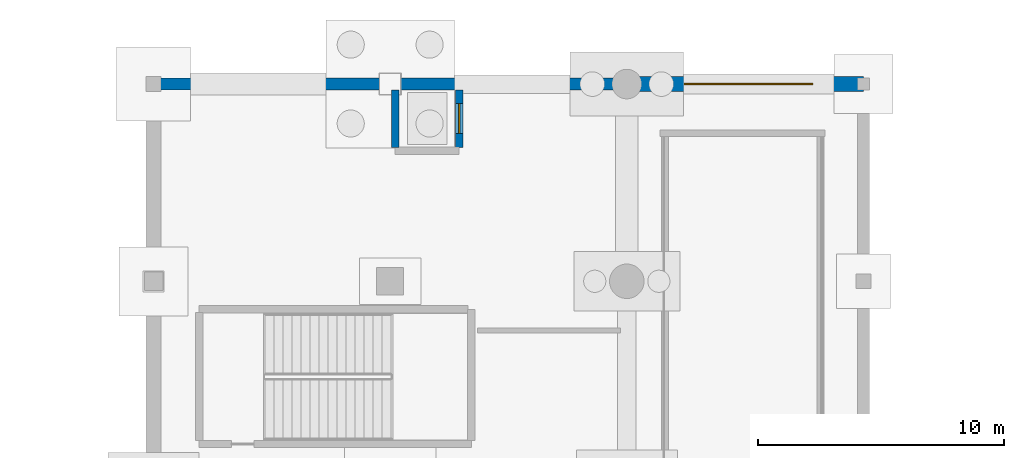
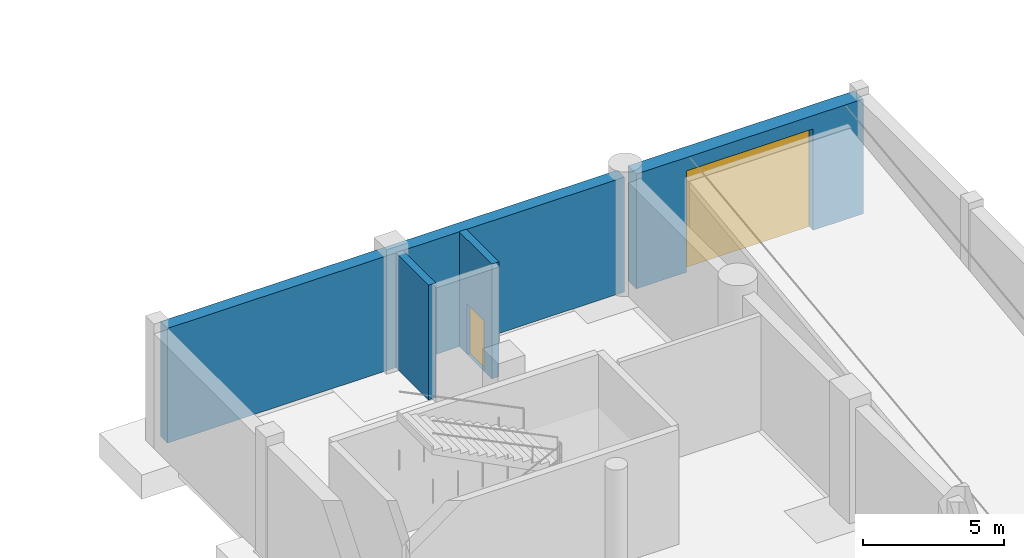
# One storey, part 31 of 44: 4 walls, 2 doors, 2 openings.
"""IFC4 building model written with IfcOpenShell, lengths in metres."""

from ifc_helpers import new_model, si_unit, direction, frame, frame_2d, origin, place, context, subcontext, project, spatial, rectangle, extrude, material, layer, layer_set, type_object, element, fill, save


model = new_model("IFC4")

# Units and contexts
model_context = context("Model", 3, precision=1e-05, world=origin(), true_north=direction((0.0, 1.0)))
body_context = subcontext(model_context, "Body", "Model", "MODEL_VIEW")
ifc_project = project(units=[si_unit("LENGTHUNIT", "METRE"), si_unit("AREAUNIT", "SQUARE_METRE"), si_unit("VOLUMEUNIT", "CUBIC_METRE"), si_unit("PLANEANGLEUNIT", "RADIAN"), si_unit("MASSUNIT", "GRAM", prefix="KILO")], contexts=[model_context])

# Site, building, storey
site_placement = place(None, origin())
site = spatial("IfcSite", under=ifc_project, at=site_placement, CompositionType="ELEMENT")
building_placement = place(site_placement, origin())
building = spatial("IfcBuilding", under=site, at=building_placement, Name="Danafjord Basin Convention Centre", CompositionType="ELEMENT")
storey_placement = place(building_placement, frame((0.0, 0.0, -5.39990234375)))
storey = spatial("IfcBuildingStorey", under=building, at=storey_placement, Name="B1", CompositionType="ELEMENT", Elevation=-5.39990234375)

# Wall, opening, door
ifc_material_1 = material(Name="Concrete C40/50", Category="concrete")
ifc_layer_1 = layer(ifc_material_1, 0.300048828125)
ifc_layer_set_1 = layer_set([ifc_layer_1], Name="Concrete C40/50")
wall_type_1 = type_object("IfcWallType", Name="WALL-CW-CORE300", PredefinedType="SHEAR", material=ifc_layer_set_1)
wall_1_placement = place(storey_placement, frame((108.39990234375, 133.43505859375, 0.0), z_axis=(0.0, 0.0, 1.0), x_axis=(0.0, 1.0, 0.0)))
wall_1 = element("IfcWall", 1, at=wall_1_placement, inside=storey, type_object=wall_type_1, Name="Lift LF-P04 shaft shear wall", PredefinedType="SHEAR", context=body_context, shape_type="SweptSolid", body=[
    extrude(rectangle(XDim=2.3349609375, YDim=0.300048828125, at=frame_2d((1.16748046875, 0.0))), origin(), (0.0, 0.0, 1.0), 4.97998046875),
])
opening_1_placement = place(wall_1_placement, frame((0.568115234375, 0.0, 0.0)))
opening_1 = element("IfcOpeningElement", 2, at=opening_1_placement, cuts=wall_1, Name="Opening LD-P01", PredefinedType="OPENING", context=body_context, shape_type="SweptSolid", body=[
    extrude(rectangle(XDim=1.199951171875, YDim=2.199951171875, at=frame_2d((0.60009765625, 1.10009765625))), frame((0.0, 0.159912109375, 0.0), z_axis=(0.0, -1.0, 0.0), x_axis=(1.0, 0.0, 0.0)), (0.0, 0.0, 1.0), 0.320068359375),
])
ifc_material_2 = material(Name="Brushed stainless steel and acoustic laminated glass", Category="steel")
door_type_1 = type_object("IfcDoorType", Name="DOOR-LD-P01", OperationType="DOUBLE_DOOR_SLIDING", PredefinedType="DOOR", material=ifc_material_2)
door_1_placement = place(opening_1_placement, origin())
door_1 = element("IfcDoor", 3, at=door_1_placement, inside=storey, type_object=door_type_1, Name="Lift LF-P04 B1 Landing Door", OperationType="DOUBLE_DOOR_SLIDING", OverallHeight=2.199951171875, OverallWidth=1.199951171875, PredefinedType="DOOR", context=body_context, shape_type="SweptSolid", body=[
    extrude(rectangle(XDim=1.199951171875, YDim=2.199951171875, at=frame_2d((0.60009765625, 1.10009765625))), frame((0.0, 0.02490234375, 0.0), z_axis=(0.0, -1.0, 0.0), x_axis=(1.0, 0.0, 0.0)), (0.0, 0.0, 1.0), 0.050048828125),
])
fill(opening_1, door_1)

# Walls
wall_2_placement = place(storey_placement, frame((105.800048828125, 135.77001953125, 0.0), z_axis=(0.0, 0.0, 1.0), x_axis=(0.0, -1.0, 0.0)))
element("IfcWall", 4, at=wall_2_placement, inside=storey, type_object=wall_type_1, Name="Lift LF-P04 shaft shear wall", PredefinedType="SHEAR", context=body_context, shape_type="SweptSolid", body=[
    extrude(rectangle(XDim=2.3349609375, YDim=0.300048828125, at=frame_2d((1.16748046875, 0.0))), origin(), (0.0, 0.0, 1.0), 4.97998046875),
])
ifc_layer_2 = layer(ifc_material_1, 0.5)
ifc_layer_set_2 = layer_set([ifc_layer_2], Name="Concrete C40/50")
wall_type_2 = type_object("IfcWallType", Name="WALL-EW-RET500", PredefinedType="SHEAR", material=ifc_layer_set_2)
wall_3_placement = place(storey_placement, frame((96.284912109375, 136.0, 0.0), z_axis=(0.0, 0.0, 1.0), x_axis=(1.0, 0.0, 0.0)))
element("IfcWall", 5, at=wall_3_placement, inside=storey, type_object=wall_type_2, Name="B1 waterproofed basement retaining wall 32", PredefinedType="SHEAR", context=body_context, shape_type="SweptSolid", body=[
    extrude(rectangle(XDim=18.735107421875, YDim=0.5, at=frame_2d((9.36767578125, 0.0))), origin(), (0.0, 0.0, 1.0), 4.97998046875),
])

# Wall, opening, door
ifc_layer_3 = layer(ifc_material_1, 0.60009765625)
ifc_layer_set_3 = layer_set([ifc_layer_3], Name="Concrete C40/50")
wall_type_3 = type_object("IfcWallType", Name="WALL-EW-RET600", PredefinedType="SHEAR", material=ifc_layer_set_3)
wall_4_placement = place(storey_placement, frame((115.485107421875, 136.0, 0.0), z_axis=(0.0, 0.0, 1.0), x_axis=(1.0, 0.0, 0.0)))
wall_4 = element("IfcWall", 6, at=wall_4_placement, inside=storey, type_object=wall_type_3, Name="B1 waterproofed basement retaining wall 23", PredefinedType="SHEAR", context=body_context, shape_type="SweptSolid", body=[
    extrude(rectangle(XDim=9.31494140625, YDim=0.60009765625, at=frame_2d((4.657470703125, 0.0))), origin(), (0.0, 0.0, 1.0), 4.97998046875),
])
opening_2_placement = place(wall_4_placement, frame((2.050048828125, 0.0, 0.0)))
opening_2 = element("IfcOpeningElement", 7, at=opening_2_placement, cuts=wall_4, Name="Opening VH-01", PredefinedType="OPENING", context=body_context, shape_type="SweptSolid", body=[
    extrude(rectangle(XDim=5.199951171875, YDim=4.39990234375, at=frame_2d((2.60009765625, 2.199951171875))), frame((0.0, 0.31005859375, 0.0), z_axis=(0.0, -1.0, 0.0), x_axis=(1.0, 0.0, 0.0)), (0.0, 0.0, 1.0), 0.6201171875),
])
ifc_material_3 = material(Name="Thermally broken anodised aluminium and steel", Category="steel")
door_type_2 = type_object("IfcDoorType", Name="DOOR-VH-01", OperationType="ROLLINGUP", PredefinedType="GATE", material=ifc_material_3)
door_2_placement = place(opening_2_placement, origin())
door_2 = element("IfcDoor", 8, at=door_2_placement, inside=storey, type_object=door_type_2, Name="Freight Ramp Roller Shutter Gate VH-01", OperationType="ROLLINGUP", OverallHeight=4.39990234375, OverallWidth=5.199951171875, PredefinedType="GATE", context=body_context, shape_type="SweptSolid", body=[
    extrude(rectangle(XDim=5.199951171875, YDim=4.39990234375, at=frame_2d((2.60009765625, 2.199951171875))), frame((0.0, 0.02490234375, 0.0), z_axis=(0.0, -1.0, 0.0), x_axis=(1.0, 0.0, 0.0)), (0.0, 0.0, 1.0), 0.050048828125),
])
fill(opening_2, door_2)

save(model, "model.ifc")
